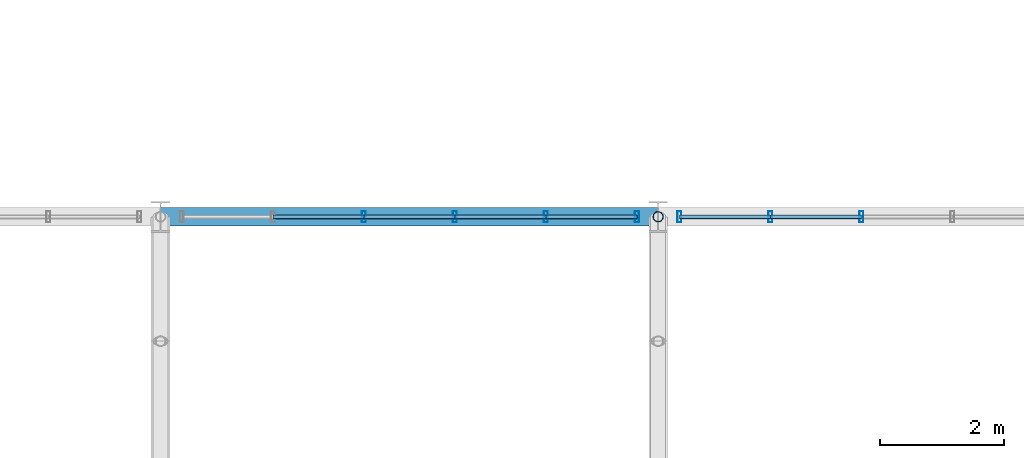
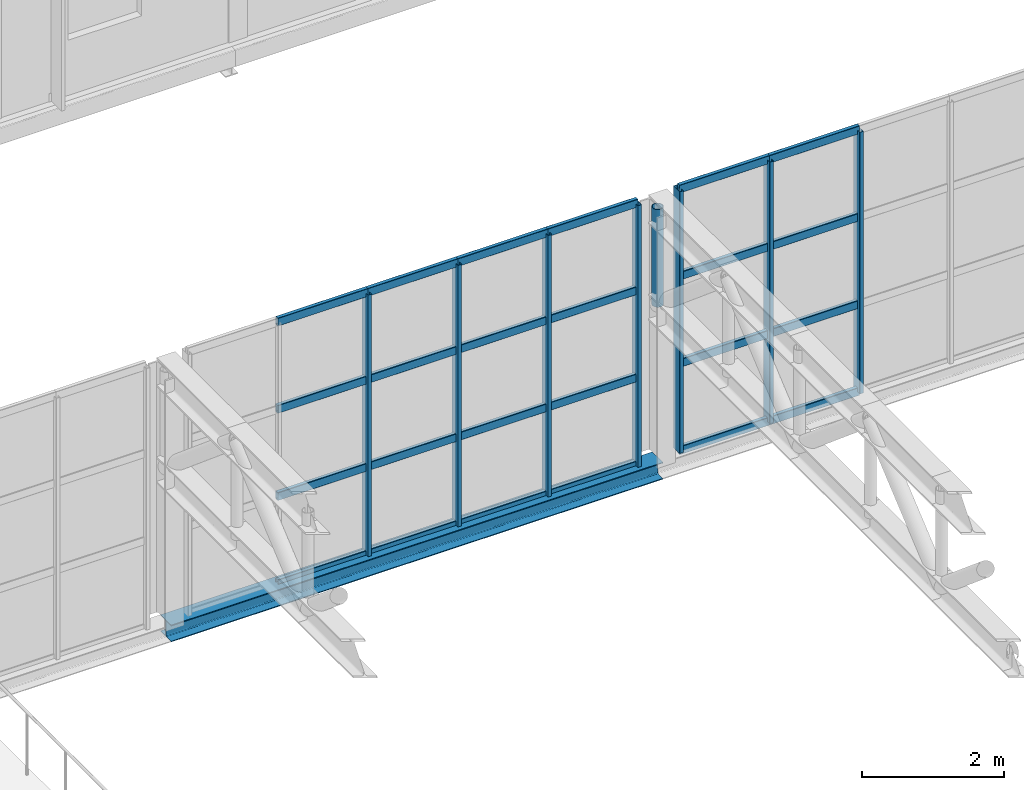
# One storey, part 55 of 143: 32 members, 1 beam, 2 elements without a shape of their own.
"""IFC4 building model written with IfcOpenShell, lengths in metres."""

from ifc_helpers import new_model, si_unit, derived_unit, direction, frame, origin, origin_2d, place, context, subcontext, project, spatial, hollow_rectangle, hollow_circle, i_section, extrude, material, material_profile, profile_set, type_object, element, aggregate, save


model = new_model("IFC4")

# Units and contexts
model_context = context("Model", 3, precision=1e-05, world=origin(), true_north=direction((0.0, 1.0)))
body_context = subcontext(model_context, "Body", "Model", "MODEL_VIEW")
ifc_project = project(units=[si_unit("LENGTHUNIT", "METRE"), si_unit("AREAUNIT", "SQUARE_METRE"), si_unit("VOLUMEUNIT", "CUBIC_METRE"), si_unit("PLANEANGLEUNIT", "RADIAN"), si_unit("MASSUNIT", "GRAM", prefix="KILO"), derived_unit("THERMALTRANSMITTANCEUNIT", [(si_unit("POWERUNIT", "WATT"), 1), (si_unit("LENGTHUNIT", "METRE"), -2), (si_unit("THERMODYNAMICTEMPERATUREUNIT", "KELVIN"), -1)])], contexts=[model_context])

# Site, building, storey
site_placement = place(None, origin())
site = spatial("IfcSite", under=ifc_project, at=site_placement, CompositionType="ELEMENT")
building_placement = place(site_placement, origin())
building = spatial("IfcBuilding", under=site, at=building_placement, Name="Keldorne Ridge Multi-Sports Centre", CompositionType="ELEMENT")
storey_placement = place(building_placement, frame((0.0, 0.0, 4.800048828125)))
storey = spatial("IfcBuildingStorey", under=building, at=storey_placement, Name="L01", CompositionType="ELEMENT", Elevation=4.800048828125)

# Beam
ifc_material_1 = material(Name="Steel S355", Category="steel")
ifc_material_profile_1 = material_profile(ifc_material_1, i_section(OverallWidth=0.300048828125, OverallDepth=0.2900390625, WebThickness=0.008544921875, FlangeThickness=0.013916015625, FilletRadius=0.027099609375, at=origin_2d()), Name="HEA 300")
ifc_profile_set_1 = profile_set([ifc_material_profile_1], Name="Steel S355")
beam_type = type_object("IfcBeamType", Name="BM-SP-04", PredefinedType="SPANDREL", material=ifc_profile_set_1)
beam_placement = place(storey_placement, frame((120.0, 54.0, -0.150146484375), z_axis=(1.0, 0.0, 0.0), x_axis=(0.0, 1.0, 0.0)))
element("IfcBeam", 1, at=beam_placement, inside=storey, type_object=beam_type, Name="Stacked Courts spandrel L01.54.3", PredefinedType="SPANDREL", context=body_context, shape_type="SweptSolid", body=[
    extrude(i_section(OverallWidth=0.300048828125, OverallDepth=0.2900390625, WebThickness=0.008544921875, FlangeThickness=0.013916015625, FilletRadius=0.027099609375, at=origin_2d()), origin(), (0.0, 0.0, 1.0), 8.0),
])

# Curtain wall, members
ifc_material_2 = material(Name="Anodized aluminium", Category="aluminium")
curtain_wall_type_1 = type_object("IfcCurtainWallType", Name="CW-CW-07", PredefinedType="NOTDEFINED", material=ifc_material_2)
curtain_wall_1_placement = place(storey_placement, origin())
curtain_wall_1 = element("IfcCurtainWall", 2, at=curtain_wall_1_placement, inside=storey, type_object=curtain_wall_type_1, Name="Lower Courts north clerestory 103", PredefinedType="NOTDEFINED")
ifc_material_profile_2 = material_profile(ifc_material_2, hollow_rectangle(XDim=0.06494140625, YDim=0.179931640625, WallThickness=0.00439453125, InnerFilletRadius=0.00439453125, OuterFilletRadius=0.009033203125, at=origin_2d()), Name="ALU MULLION 180x65x4.5")
ifc_profile_set_2 = profile_set([ifc_material_profile_2], Name="Anodized aluminium")
member_type_1 = type_object("IfcMemberType", Name="MEM-ML-01", PredefinedType="MULLION", material=ifc_profile_set_2)
member_1_placement = place(storey_placement, frame((127.659912109375, 54.0, 0.0), z_axis=(0.0, 0.0, 1.0), x_axis=(1.0, 0.0, 0.0)))
member_1 = element("IfcMember", 3, at=member_1_placement, type_object=member_type_1, Name="CW-103 vertical mullion 1", PredefinedType="MULLION", context=body_context, shape_type="SweptSolid", body=[
    extrude(hollow_rectangle(XDim=0.06494140625, YDim=0.179931640625, WallThickness=0.00439453125, InnerFilletRadius=0.00439453125, OuterFilletRadius=0.009033203125, at=origin_2d()), origin(), (0.0, 0.0, 1.0), 4.5),
])
member_2_placement = place(storey_placement, frame((126.196044921875, 54.0, 0.0), z_axis=(0.0, 0.0, 1.0), x_axis=(1.0, 0.0, 0.0)))
member_2 = element("IfcMember", 4, at=member_2_placement, type_object=member_type_1, Name="CW-103 vertical mullion 2", PredefinedType="MULLION", context=body_context, shape_type="SweptSolid", body=[
    extrude(hollow_rectangle(XDim=0.06494140625, YDim=0.179931640625, WallThickness=0.00439453125, InnerFilletRadius=0.00439453125, OuterFilletRadius=0.009033203125, at=origin_2d()), origin(), (0.0, 0.0, 1.0), 4.5),
])
member_3_placement = place(storey_placement, frame((124.73193359375, 54.0, 0.0), z_axis=(0.0, 0.0, 1.0), x_axis=(1.0, 0.0, 0.0)))
member_3 = element("IfcMember", 5, at=member_3_placement, type_object=member_type_1, Name="CW-103 vertical mullion 3", PredefinedType="MULLION", context=body_context, shape_type="SweptSolid", body=[
    extrude(hollow_rectangle(XDim=0.06494140625, YDim=0.179931640625, WallThickness=0.00439453125, InnerFilletRadius=0.00439453125, OuterFilletRadius=0.009033203125, at=origin_2d()), origin(), (0.0, 0.0, 1.0), 4.5),
])
member_4_placement = place(storey_placement, frame((123.26806640625, 54.0, 0.0), z_axis=(0.0, 0.0, 1.0), x_axis=(1.0, 0.0, 0.0)))
member_4 = element("IfcMember", 6, at=member_4_placement, type_object=member_type_1, Name="CW-103 vertical mullion 4", PredefinedType="MULLION", context=body_context, shape_type="SweptSolid", body=[
    extrude(hollow_rectangle(XDim=0.06494140625, YDim=0.179931640625, WallThickness=0.00439453125, InnerFilletRadius=0.00439453125, OuterFilletRadius=0.009033203125, at=origin_2d()), origin(), (0.0, 0.0, 1.0), 4.5),
])

curtain_wall_type_2 = type_object("IfcCurtainWallType", Name="CW-CW-06", PredefinedType="NOTDEFINED", material=ifc_material_2)
curtain_wall_2_placement = place(storey_placement, origin())
curtain_wall_2 = element("IfcCurtainWall", 7, at=curtain_wall_2_placement, inside=storey, type_object=curtain_wall_type_2, Name="Lower Courts north clerestory 110", PredefinedType="NOTDEFINED")
member_5_placement = place(storey_placement, frame((131.26806640625, 54.0, 0.0), z_axis=(0.0, 0.0, 1.0), x_axis=(1.0, 0.0, 0.0)))
member_5 = element("IfcMember", 8, at=member_5_placement, type_object=member_type_1, Name="CW-110 vertical mullion 4", PredefinedType="MULLION", context=body_context, shape_type="SweptSolid", body=[
    extrude(hollow_rectangle(XDim=0.06494140625, YDim=0.179931640625, WallThickness=0.00439453125, InnerFilletRadius=0.00439453125, OuterFilletRadius=0.009033203125, at=origin_2d()), origin(), (0.0, 0.0, 1.0), 4.5),
])
member_6_placement = place(storey_placement, frame((129.803955078125, 54.0, 0.0), z_axis=(0.0, 0.0, 1.0), x_axis=(1.0, 0.0, 0.0)))
member_6 = element("IfcMember", 9, at=member_6_placement, type_object=member_type_1, Name="CW-110 vertical mullion 5", PredefinedType="MULLION", context=body_context, shape_type="SweptSolid", body=[
    extrude(hollow_rectangle(XDim=0.06494140625, YDim=0.179931640625, WallThickness=0.00439453125, InnerFilletRadius=0.00439453125, OuterFilletRadius=0.009033203125, at=origin_2d()), origin(), (0.0, 0.0, 1.0), 4.5),
])
member_7_placement = place(storey_placement, frame((128.340087890625, 54.0, 0.0), z_axis=(0.0, 0.0, 1.0), x_axis=(1.0, 0.0, 0.0)))
member_7 = element("IfcMember", 10, at=member_7_placement, type_object=member_type_1, Name="CW-110 vertical mullion 6", PredefinedType="MULLION", context=body_context, shape_type="SweptSolid", body=[
    extrude(hollow_rectangle(XDim=0.06494140625, YDim=0.179931640625, WallThickness=0.00439453125, InnerFilletRadius=0.00439453125, OuterFilletRadius=0.009033203125, at=origin_2d()), origin(), (0.0, 0.0, 1.0), 4.5),
])

# Member
ifc_material_profile_3 = material_profile(ifc_material_2, hollow_rectangle(XDim=0.06494140625, YDim=0.139892578125, WallThickness=0.00439453125, InnerFilletRadius=0.00439453125, OuterFilletRadius=0.009033203125, at=origin_2d()), Name="ALU TRANSOM 140x65x4.5")
ifc_profile_set_3 = profile_set([ifc_material_profile_3], Name="Anodized aluminium")
member_type_2 = type_object("IfcMemberType", Name="MEM-TR-01", PredefinedType="USERDEFINED", material=ifc_profile_set_3)
member_8_placement = place(storey_placement, frame((127.659912109375, 54.0, 0.0), z_axis=(-1.0, 0.0, 0.0), x_axis=(0.0, -1.0, 0.0)))
member_8 = element("IfcMember", 11, at=member_8_placement, type_object=member_type_2, Name="CW-103 transom 1.1", ObjectType="TRANSOM", PredefinedType="USERDEFINED", context=body_context, shape_type="SweptSolid", body=[
    extrude(hollow_rectangle(XDim=0.06494140625, YDim=0.139892578125, WallThickness=0.00439453125, InnerFilletRadius=0.00439453125, OuterFilletRadius=0.009033203125, at=origin_2d()), origin(), (0.0, 0.0, 1.0), 1.4638671875),
])

member_9_placement = place(storey_placement, frame((127.659912109375, 54.0, 1.5), z_axis=(-1.0, 0.0, 0.0), x_axis=(0.0, -1.0, 0.0)))
member_9 = element("IfcMember", 12, at=member_9_placement, type_object=member_type_2, Name="CW-103 transom 1.2", ObjectType="TRANSOM", PredefinedType="USERDEFINED", context=body_context, shape_type="SweptSolid", body=[
    extrude(hollow_rectangle(XDim=0.06494140625, YDim=0.139892578125, WallThickness=0.00439453125, InnerFilletRadius=0.00439453125, OuterFilletRadius=0.009033203125, at=origin_2d()), origin(), (0.0, 0.0, 1.0), 1.4638671875),
])

member_10_placement = place(storey_placement, frame((127.659912109375, 54.0, 3.0), z_axis=(-1.0, 0.0, 0.0), x_axis=(0.0, -1.0, 0.0)))
member_10 = element("IfcMember", 13, at=member_10_placement, type_object=member_type_2, Name="CW-103 transom 1.3", ObjectType="TRANSOM", PredefinedType="USERDEFINED", context=body_context, shape_type="SweptSolid", body=[
    extrude(hollow_rectangle(XDim=0.06494140625, YDim=0.139892578125, WallThickness=0.00439453125, InnerFilletRadius=0.00439453125, OuterFilletRadius=0.009033203125, at=origin_2d()), origin(), (0.0, 0.0, 1.0), 1.4638671875),
])

member_11_placement = place(storey_placement, frame((127.659912109375, 54.0, 4.5), z_axis=(-1.0, 0.0, 0.0), x_axis=(0.0, -1.0, 0.0)))
member_11 = element("IfcMember", 14, at=member_11_placement, type_object=member_type_2, Name="CW-103 transom 1.4", ObjectType="TRANSOM", PredefinedType="USERDEFINED", context=body_context, shape_type="SweptSolid", body=[
    extrude(hollow_rectangle(XDim=0.06494140625, YDim=0.139892578125, WallThickness=0.00439453125, InnerFilletRadius=0.00439453125, OuterFilletRadius=0.009033203125, at=origin_2d()), origin(), (0.0, 0.0, 1.0), 1.4638671875),
])

member_12_placement = place(storey_placement, frame((126.196044921875, 54.0, 0.0), z_axis=(-1.0, 0.0, 0.0), x_axis=(0.0, -1.0, 0.0)))
member_12 = element("IfcMember", 15, at=member_12_placement, type_object=member_type_2, Name="CW-103 transom 2.1", ObjectType="TRANSOM", PredefinedType="USERDEFINED", context=body_context, shape_type="SweptSolid", body=[
    extrude(hollow_rectangle(XDim=0.06494140625, YDim=0.139892578125, WallThickness=0.00439453125, InnerFilletRadius=0.00439453125, OuterFilletRadius=0.009033203125, at=origin_2d()), origin(), (0.0, 0.0, 1.0), 1.464111328125),
])

member_13_placement = place(storey_placement, frame((126.196044921875, 54.0, 1.5), z_axis=(-1.0, 0.0, 0.0), x_axis=(0.0, -1.0, 0.0)))
member_13 = element("IfcMember", 16, at=member_13_placement, type_object=member_type_2, Name="CW-103 transom 2.2", ObjectType="TRANSOM", PredefinedType="USERDEFINED", context=body_context, shape_type="SweptSolid", body=[
    extrude(hollow_rectangle(XDim=0.06494140625, YDim=0.139892578125, WallThickness=0.00439453125, InnerFilletRadius=0.00439453125, OuterFilletRadius=0.009033203125, at=origin_2d()), origin(), (0.0, 0.0, 1.0), 1.464111328125),
])

member_14_placement = place(storey_placement, frame((126.196044921875, 54.0, 3.0), z_axis=(-1.0, 0.0, 0.0), x_axis=(0.0, -1.0, 0.0)))
member_14 = element("IfcMember", 17, at=member_14_placement, type_object=member_type_2, Name="CW-103 transom 2.3", ObjectType="TRANSOM", PredefinedType="USERDEFINED", context=body_context, shape_type="SweptSolid", body=[
    extrude(hollow_rectangle(XDim=0.06494140625, YDim=0.139892578125, WallThickness=0.00439453125, InnerFilletRadius=0.00439453125, OuterFilletRadius=0.009033203125, at=origin_2d()), origin(), (0.0, 0.0, 1.0), 1.464111328125),
])

member_15_placement = place(storey_placement, frame((126.196044921875, 54.0, 4.5), z_axis=(-1.0, 0.0, 0.0), x_axis=(0.0, -1.0, 0.0)))
member_15 = element("IfcMember", 18, at=member_15_placement, type_object=member_type_2, Name="CW-103 transom 2.4", ObjectType="TRANSOM", PredefinedType="USERDEFINED", context=body_context, shape_type="SweptSolid", body=[
    extrude(hollow_rectangle(XDim=0.06494140625, YDim=0.139892578125, WallThickness=0.00439453125, InnerFilletRadius=0.00439453125, OuterFilletRadius=0.009033203125, at=origin_2d()), origin(), (0.0, 0.0, 1.0), 1.464111328125),
])

member_16_placement = place(storey_placement, frame((124.73193359375, 54.0, 0.0), z_axis=(-1.0, 0.0, 0.0), x_axis=(0.0, -1.0, 0.0)))
member_16 = element("IfcMember", 19, at=member_16_placement, type_object=member_type_2, Name="CW-103 transom 3.1", ObjectType="TRANSOM", PredefinedType="USERDEFINED", context=body_context, shape_type="SweptSolid", body=[
    extrude(hollow_rectangle(XDim=0.06494140625, YDim=0.139892578125, WallThickness=0.00439453125, InnerFilletRadius=0.00439453125, OuterFilletRadius=0.009033203125, at=origin_2d()), origin(), (0.0, 0.0, 1.0), 1.4638671875),
])

member_17_placement = place(storey_placement, frame((124.73193359375, 54.0, 1.5), z_axis=(-1.0, 0.0, 0.0), x_axis=(0.0, -1.0, 0.0)))
member_17 = element("IfcMember", 20, at=member_17_placement, type_object=member_type_2, Name="CW-103 transom 3.2", ObjectType="TRANSOM", PredefinedType="USERDEFINED", context=body_context, shape_type="SweptSolid", body=[
    extrude(hollow_rectangle(XDim=0.06494140625, YDim=0.139892578125, WallThickness=0.00439453125, InnerFilletRadius=0.00439453125, OuterFilletRadius=0.009033203125, at=origin_2d()), origin(), (0.0, 0.0, 1.0), 1.4638671875),
])

member_18_placement = place(storey_placement, frame((124.73193359375, 54.0, 3.0), z_axis=(-1.0, 0.0, 0.0), x_axis=(0.0, -1.0, 0.0)))
member_18 = element("IfcMember", 21, at=member_18_placement, type_object=member_type_2, Name="CW-103 transom 3.3", ObjectType="TRANSOM", PredefinedType="USERDEFINED", context=body_context, shape_type="SweptSolid", body=[
    extrude(hollow_rectangle(XDim=0.06494140625, YDim=0.139892578125, WallThickness=0.00439453125, InnerFilletRadius=0.00439453125, OuterFilletRadius=0.009033203125, at=origin_2d()), origin(), (0.0, 0.0, 1.0), 1.4638671875),
])

member_19_placement = place(storey_placement, frame((124.73193359375, 54.0, 4.5), z_axis=(-1.0, 0.0, 0.0), x_axis=(0.0, -1.0, 0.0)))
member_19 = element("IfcMember", 22, at=member_19_placement, type_object=member_type_2, Name="CW-103 transom 3.4", ObjectType="TRANSOM", PredefinedType="USERDEFINED", context=body_context, shape_type="SweptSolid", body=[
    extrude(hollow_rectangle(XDim=0.06494140625, YDim=0.139892578125, WallThickness=0.00439453125, InnerFilletRadius=0.00439453125, OuterFilletRadius=0.009033203125, at=origin_2d()), origin(), (0.0, 0.0, 1.0), 1.4638671875),
])

member_20_placement = place(storey_placement, frame((123.26806640625, 54.0, 0.0), z_axis=(-1.0, 0.0, 0.0), x_axis=(0.0, -1.0, 0.0)))
member_20 = element("IfcMember", 23, at=member_20_placement, type_object=member_type_2, Name="CW-103 transom 4.1", ObjectType="TRANSOM", PredefinedType="USERDEFINED", context=body_context, shape_type="SweptSolid", body=[
    extrude(hollow_rectangle(XDim=0.06494140625, YDim=0.139892578125, WallThickness=0.00439453125, InnerFilletRadius=0.00439453125, OuterFilletRadius=0.009033203125, at=origin_2d()), origin(), (0.0, 0.0, 1.0), 1.464111328125),
])

member_21_placement = place(storey_placement, frame((123.26806640625, 54.0, 1.5), z_axis=(-1.0, 0.0, 0.0), x_axis=(0.0, -1.0, 0.0)))
member_21 = element("IfcMember", 24, at=member_21_placement, type_object=member_type_2, Name="CW-103 transom 4.2", ObjectType="TRANSOM", PredefinedType="USERDEFINED", context=body_context, shape_type="SweptSolid", body=[
    extrude(hollow_rectangle(XDim=0.06494140625, YDim=0.139892578125, WallThickness=0.00439453125, InnerFilletRadius=0.00439453125, OuterFilletRadius=0.009033203125, at=origin_2d()), origin(), (0.0, 0.0, 1.0), 1.464111328125),
])

member_22_placement = place(storey_placement, frame((123.26806640625, 54.0, 3.0), z_axis=(-1.0, 0.0, 0.0), x_axis=(0.0, -1.0, 0.0)))
member_22 = element("IfcMember", 25, at=member_22_placement, type_object=member_type_2, Name="CW-103 transom 4.3", ObjectType="TRANSOM", PredefinedType="USERDEFINED", context=body_context, shape_type="SweptSolid", body=[
    extrude(hollow_rectangle(XDim=0.06494140625, YDim=0.139892578125, WallThickness=0.00439453125, InnerFilletRadius=0.00439453125, OuterFilletRadius=0.009033203125, at=origin_2d()), origin(), (0.0, 0.0, 1.0), 1.464111328125),
])

member_23_placement = place(storey_placement, frame((123.26806640625, 54.0, 4.5), z_axis=(-1.0, 0.0, 0.0), x_axis=(0.0, -1.0, 0.0)))
member_23 = element("IfcMember", 26, at=member_23_placement, type_object=member_type_2, Name="CW-103 transom 4.4", ObjectType="TRANSOM", PredefinedType="USERDEFINED", context=body_context, shape_type="SweptSolid", body=[
    extrude(hollow_rectangle(XDim=0.06494140625, YDim=0.139892578125, WallThickness=0.00439453125, InnerFilletRadius=0.00439453125, OuterFilletRadius=0.009033203125, at=origin_2d()), origin(), (0.0, 0.0, 1.0), 1.464111328125),
])

aggregate(curtain_wall_1, [member_1, member_2, member_3, member_4, member_8, member_9, member_10, member_11, member_12, member_13, member_14, member_15, member_16, member_17, member_18, member_19, member_20, member_21, member_22, member_23])

member_24_placement = place(storey_placement, frame((131.26806640625, 54.0, 0.0), z_axis=(-1.0, 0.0, 0.0), x_axis=(0.0, -1.0, 0.0)))
member_24 = element("IfcMember", 27, at=member_24_placement, type_object=member_type_2, Name="CW-110 transom 4.1", ObjectType="TRANSOM", PredefinedType="USERDEFINED", context=body_context, shape_type="SweptSolid", body=[
    extrude(hollow_rectangle(XDim=0.06494140625, YDim=0.139892578125, WallThickness=0.00439453125, InnerFilletRadius=0.00439453125, OuterFilletRadius=0.009033203125, at=origin_2d()), origin(), (0.0, 0.0, 1.0), 1.464111328125),
])

member_25_placement = place(storey_placement, frame((131.26806640625, 54.0, 1.5), z_axis=(-1.0, 0.0, 0.0), x_axis=(0.0, -1.0, 0.0)))
member_25 = element("IfcMember", 28, at=member_25_placement, type_object=member_type_2, Name="CW-110 transom 4.2", ObjectType="TRANSOM", PredefinedType="USERDEFINED", context=body_context, shape_type="SweptSolid", body=[
    extrude(hollow_rectangle(XDim=0.06494140625, YDim=0.139892578125, WallThickness=0.00439453125, InnerFilletRadius=0.00439453125, OuterFilletRadius=0.009033203125, at=origin_2d()), origin(), (0.0, 0.0, 1.0), 1.464111328125),
])

member_26_placement = place(storey_placement, frame((131.26806640625, 54.0, 3.0), z_axis=(-1.0, 0.0, 0.0), x_axis=(0.0, -1.0, 0.0)))
member_26 = element("IfcMember", 29, at=member_26_placement, type_object=member_type_2, Name="CW-110 transom 4.3", ObjectType="TRANSOM", PredefinedType="USERDEFINED", context=body_context, shape_type="SweptSolid", body=[
    extrude(hollow_rectangle(XDim=0.06494140625, YDim=0.139892578125, WallThickness=0.00439453125, InnerFilletRadius=0.00439453125, OuterFilletRadius=0.009033203125, at=origin_2d()), origin(), (0.0, 0.0, 1.0), 1.464111328125),
])

member_27_placement = place(storey_placement, frame((131.26806640625, 54.0, 4.5), z_axis=(-1.0, 0.0, 0.0), x_axis=(0.0, -1.0, 0.0)))
member_27 = element("IfcMember", 30, at=member_27_placement, type_object=member_type_2, Name="CW-110 transom 4.4", ObjectType="TRANSOM", PredefinedType="USERDEFINED", context=body_context, shape_type="SweptSolid", body=[
    extrude(hollow_rectangle(XDim=0.06494140625, YDim=0.139892578125, WallThickness=0.00439453125, InnerFilletRadius=0.00439453125, OuterFilletRadius=0.009033203125, at=origin_2d()), origin(), (0.0, 0.0, 1.0), 1.464111328125),
])

member_28_placement = place(storey_placement, frame((129.803955078125, 54.0, 0.0), z_axis=(-1.0, 0.0, 0.0), x_axis=(0.0, -1.0, 0.0)))
member_28 = element("IfcMember", 31, at=member_28_placement, type_object=member_type_2, Name="CW-110 transom 5.1", ObjectType="TRANSOM", PredefinedType="USERDEFINED", context=body_context, shape_type="SweptSolid", body=[
    extrude(hollow_rectangle(XDim=0.06494140625, YDim=0.139892578125, WallThickness=0.00439453125, InnerFilletRadius=0.00439453125, OuterFilletRadius=0.009033203125, at=origin_2d()), origin(), (0.0, 0.0, 1.0), 1.4638671875),
])

member_29_placement = place(storey_placement, frame((129.803955078125, 54.0, 1.5), z_axis=(-1.0, 0.0, 0.0), x_axis=(0.0, -1.0, 0.0)))
member_29 = element("IfcMember", 32, at=member_29_placement, type_object=member_type_2, Name="CW-110 transom 5.2", ObjectType="TRANSOM", PredefinedType="USERDEFINED", context=body_context, shape_type="SweptSolid", body=[
    extrude(hollow_rectangle(XDim=0.06494140625, YDim=0.139892578125, WallThickness=0.00439453125, InnerFilletRadius=0.00439453125, OuterFilletRadius=0.009033203125, at=origin_2d()), origin(), (0.0, 0.0, 1.0), 1.4638671875),
])

member_30_placement = place(storey_placement, frame((129.803955078125, 54.0, 3.0), z_axis=(-1.0, 0.0, 0.0), x_axis=(0.0, -1.0, 0.0)))
member_30 = element("IfcMember", 33, at=member_30_placement, type_object=member_type_2, Name="CW-110 transom 5.3", ObjectType="TRANSOM", PredefinedType="USERDEFINED", context=body_context, shape_type="SweptSolid", body=[
    extrude(hollow_rectangle(XDim=0.06494140625, YDim=0.139892578125, WallThickness=0.00439453125, InnerFilletRadius=0.00439453125, OuterFilletRadius=0.009033203125, at=origin_2d()), origin(), (0.0, 0.0, 1.0), 1.4638671875),
])

member_31_placement = place(storey_placement, frame((129.803955078125, 54.0, 4.5), z_axis=(-1.0, 0.0, 0.0), x_axis=(0.0, -1.0, 0.0)))
member_31 = element("IfcMember", 34, at=member_31_placement, type_object=member_type_2, Name="CW-110 transom 5.4", ObjectType="TRANSOM", PredefinedType="USERDEFINED", context=body_context, shape_type="SweptSolid", body=[
    extrude(hollow_rectangle(XDim=0.06494140625, YDim=0.139892578125, WallThickness=0.00439453125, InnerFilletRadius=0.00439453125, OuterFilletRadius=0.009033203125, at=origin_2d()), origin(), (0.0, 0.0, 1.0), 1.4638671875),
])

aggregate(curtain_wall_2, [member_5, member_6, member_7, member_24, member_25, member_26, member_27, member_28, member_29, member_30, member_31])

ifc_material_profile_4 = material_profile(ifc_material_1, hollow_circle(Radius=0.084228515625, WallThickness=0.010009765625, at=origin_2d()), Name="CHS 168.3x10")
ifc_profile_set_4 = profile_set([ifc_material_profile_4], Name="Steel S355")
member_type_3 = type_object("IfcMemberType", Name="MEM-TV-01", PredefinedType="STRUT", material=ifc_profile_set_4)
member_32_placement = place(storey_placement, frame((128.0, 54.0, 2.6298828125), z_axis=(0.0, 0.0, 1.0), x_axis=(1.0, 0.0, 0.0)))
element("IfcMember", 35, at=member_32_placement, inside=storey, type_object=member_type_3, Name="Stacked Courts Warren TRUSS WT-L02-04 end post 24", PredefinedType="STRUT", context=body_context, shape_type="SweptSolid", body=[
    extrude(hollow_circle(Radius=0.084228515625, WallThickness=0.010009765625, at=origin_2d()), origin(), (0.0, 0.0, 1.0), 1.68017578125),
])

save(model, "model.ifc")
